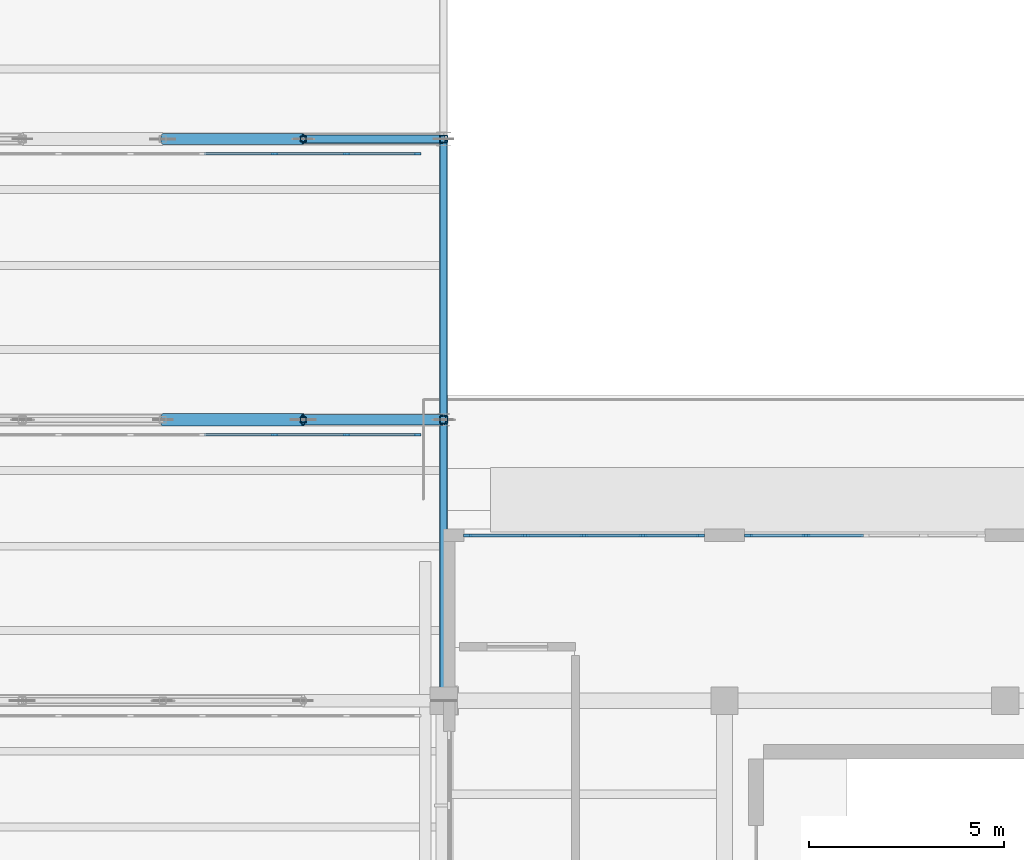
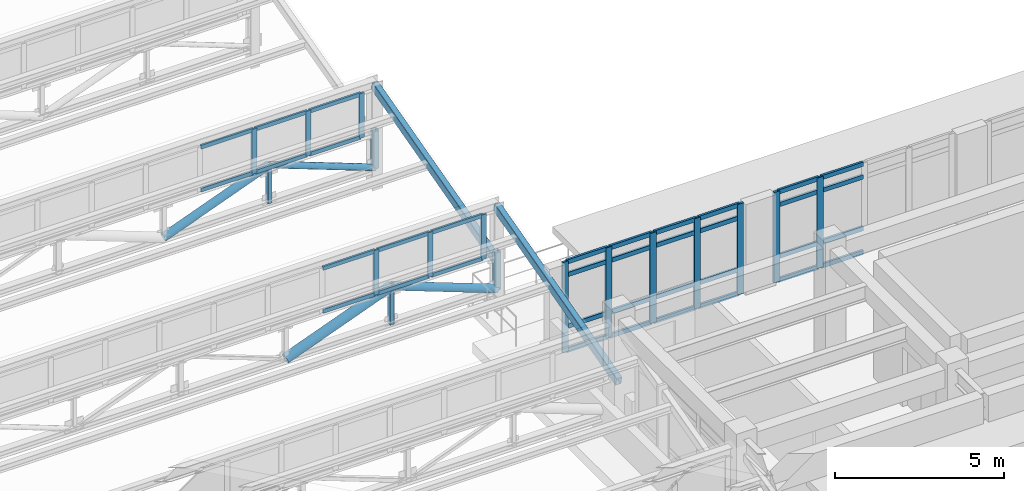
# One storey, part 10 of 55: 57 members, 2 beams, 4 elements without a shape of their own.
"""IFC4 building model written with IfcOpenShell, lengths in metres."""

import ifcopenshell
import ifcopenshell.guid

model = None  # the IFC model being written
_history = None  # IfcOwnerHistory: only IFC2X3 demands one
_inside = {}  # id of a spatial element -> (the spatial element, [elements in it])
_under = {}  # id of a project, library or spatial element -> (it, [spatial elements below it])
_declared = {}  # id of a project -> (the project, [libraries it declares])
_typed = {}  # id of a type object -> (the type object, [elements of that type])
_made_of = {}  # id of a material, layer set ... -> (it, [elements and type objects made of it])


def new_model(schema):
    """Start an empty IFC model of exactly this schema.

    Asked for "IFC4X3", IfcOpenShell would pick the latest addendum, in which some entities
    have other attributes; the version numbers below select the first issue.
    IFC2X3 requires an IfcOwnerHistory on every rooted entity: one is made here for all.
    """
    global model, _history
    if schema == "IFC4X3":
        model = ifcopenshell.file(schema_version=(4, 3, 0, 0))
    else:
        model = ifcopenshell.file(schema=schema)
    _inside.clear()
    _under.clear()
    _declared.clear()
    _typed.clear()
    _made_of.clear()
    _history = None
    if model.schema == "IFC2X3":
        org = make("IfcOrganization", Name="unknown")
        user = make(
            "IfcPersonAndOrganization",
            ThePerson=make("IfcPerson", FamilyName="unknown"),
            TheOrganization=org,
        )
        app = make(
            "IfcApplication",
            ApplicationDeveloper=org,
            Version="unknown",
            ApplicationFullName="unknown",
            ApplicationIdentifier="unknown",
        )
        _history = make(
            "IfcOwnerHistory",
            OwningUser=user,
            OwningApplication=app,
            ChangeAction="ADDED",
            CreationDate=0,
        )
    return model


def make(cls, **values):
    """One entity of the class cls with the attributes given. An attribute that is None is left unset."""
    return model.create_entity(
        cls, **{name: value for name, value in values.items() if value is not None}
    )


def rooted(cls, **values):
    """An entity with a GlobalId (a new one), such as an element, a storey or a relation."""
    return make(cls, GlobalId=ifcopenshell.guid.new(), OwnerHistory=_history, **values)


def si_unit(unit_type, name, prefix=None):
    """IfcSIUnit, for example si_unit("LENGTHUNIT", "METRE", prefix="MILLI")."""
    return make("IfcSIUnit", UnitType=unit_type, Prefix=prefix, Name=name)


def assignment(units):
    """IfcUnitAssignment: the units of a project."""
    return None if units is None else make("IfcUnitAssignment", Units=units)


def point(xyz):
    """IfcCartesianPoint."""
    return None if xyz is None else make("IfcCartesianPoint", Coordinates=xyz)


def direction(xyz):
    """IfcDirection."""
    return None if xyz is None else make("IfcDirection", DirectionRatios=xyz)


def frame(location, z_axis=None, x_axis=None):
    """IfcAxis2Placement3D, a coordinate frame: its origin and axes. An axis left out is left unset."""
    return make(
        "IfcAxis2Placement3D",
        Location=point(location),
        Axis=direction(z_axis),
        RefDirection=direction(x_axis),
    )


def frame_2d(location, x_axis=None):
    """IfcAxis2Placement2D, a coordinate frame in the plane: its origin and x axis."""
    return make(
        "IfcAxis2Placement2D", Location=point(location), RefDirection=direction(x_axis)
    )


def origin():
    """The frame at (0, 0, 0) with its axes left unset."""
    return frame((0.0, 0.0, 0.0))


def origin_2d():
    """The frame at (0, 0) in the plane with its x axis left unset."""
    return frame_2d((0.0, 0.0))


def place(relative_to, where):
    """IfcLocalPlacement: puts the frame where relative to a parent placement (None: the world)."""
    return make(
        "IfcLocalPlacement", PlacementRelTo=relative_to, RelativePlacement=where
    )


def context(
    kind, dimensions, precision=None, world=None, true_north=None, identifier=None
):
    """IfcGeometricRepresentationContext, for example the 3D "Model" context."""
    return make(
        "IfcGeometricRepresentationContext",
        ContextIdentifier=identifier,
        ContextType=kind,
        CoordinateSpaceDimension=dimensions,
        Precision=precision,
        WorldCoordinateSystem=world,
        TrueNorth=true_north,
    )


def subcontext(parent, identifier, kind, view, scale=None):
    """IfcGeometricRepresentationSubContext, for example "Body" below "Model"."""
    return make(
        "IfcGeometricRepresentationSubContext",
        ContextIdentifier=identifier,
        ContextType=kind,
        ParentContext=parent,
        TargetScale=scale,
        TargetView=view,
    )


def project(units=None, contexts=None):
    """IfcProject with its units and contexts."""
    return rooted(
        "IfcProject",
        Name="project",
        RepresentationContexts=contexts,
        UnitsInContext=assignment(units),
    )


def spatial(cls, under=None, at=None, **own):
    """A site, building, storey or space (cls), placed at a placement, below another one or the project."""
    s = rooted(cls, ObjectPlacement=at, **own)
    if under is not None:
        _under.setdefault(under.id(), (under, []))[1].append(s)
    return s


def profile(cls, at=None, kind="AREA", **sizes):
    """A parametric profile (cls). Its sizes go by their IFC names, for example OverallWidth=200.0."""
    return make(cls, ProfileType=kind, Position=at, **sizes)


def rectangle(**sizes):
    """IfcRectangleProfileDef."""
    return profile("IfcRectangleProfileDef", **sizes)


def hollow_rectangle(**sizes):
    """IfcRectangleHollowProfileDef."""
    return profile("IfcRectangleHollowProfileDef", **sizes)


def hollow_circle(**sizes):
    """IfcCircleHollowProfileDef."""
    return profile("IfcCircleHollowProfileDef", **sizes)


def extrude(swept, where, along, depth):
    """IfcExtrudedAreaSolid: the profile swept, set in the frame where, extruded along a direction by depth."""
    return make(
        "IfcExtrudedAreaSolid",
        SweptArea=swept,
        Position=where,
        ExtrudedDirection=direction(along),
        Depth=depth,
    )


def shape(context_of_items, identifier, shape_type, items):
    """IfcShapeRepresentation: the items that make up one representation, for example the "Body"."""
    return make(
        "IfcShapeRepresentation",
        ContextOfItems=context_of_items,
        RepresentationIdentifier=identifier,
        RepresentationType=shape_type,
        Items=items,
    )


def material(Name=None, Category=None):
    """IfcMaterial."""
    return make("IfcMaterial", Name=Name, Category=Category)


def layer(
    of_material, thickness, ventilated=None, Name=None, Category=None, Priority=None
):
    """IfcMaterialLayer: one layer of a wall or slab, of a material (None: an air gap)."""
    return make(
        "IfcMaterialLayer",
        Material=of_material,
        LayerThickness=thickness,
        IsVentilated=ventilated,
        Name=Name,
        Category=Category,
        Priority=Priority,
    )


def layer_set(layers, Name=None):
    """IfcMaterialLayerSet."""
    return make("IfcMaterialLayerSet", MaterialLayers=layers, LayerSetName=Name)


def material_profile(
    of_material, cross_section, Name=None, Category=None, Priority=None
):
    """IfcMaterialProfile: a cross section and its material."""
    return make(
        "IfcMaterialProfile",
        Name=Name,
        Material=of_material,
        Profile=cross_section,
        Priority=Priority,
        Category=Category,
    )


def profile_set(profiles, Name=None, composite=None):
    """IfcMaterialProfileSet."""
    return make(
        "IfcMaterialProfileSet",
        Name=Name,
        MaterialProfiles=profiles,
        CompositeProfile=composite,
    )


def made_of(thing, what):
    """Note that an element or type object is made of a material, layer set ...; save() writes the relation."""
    if what is not None:
        _made_of.setdefault(what.id(), (what, []))[1].append(thing)
    return thing


def type_object(cls, material=None, **own):
    """A type object (cls), such as IfcWallType, which elements share."""
    return made_of(rooted(cls, **own), material)


def element(
    cls,
    number,
    at=None,
    inside=None,
    cuts=None,
    type_object=None,
    material=None,
    context=None,
    identifier="Body",
    shape_type=None,
    held_by="IfcProductDefinitionShape",
    body=None,
    shapes=None,
    **own,
):
    """One element of the class cls, such as IfcWall. Its Tag is "e" and its number.

    at: its placement. inside: the storey or other place that contains it. cuts: it is an
    opening in that element (IfcRelVoidsElement). A single representation is given by context,
    identifier, shape_type and body (its items); several are given by shapes. held_by: the class
    of the entity that holds the representations. save() writes the other relations.
    """
    e = rooted(cls, Tag="e%d" % number, ObjectPlacement=at, **own)
    if body is not None:
        shapes = [shape(context, identifier, shape_type, body)]
    if shapes is not None:
        e.Representation = make(held_by, Representations=shapes)
    if inside is not None:
        _inside.setdefault(inside.id(), (inside, []))[1].append(e)
    if cuts is not None:
        rooted(
            "IfcRelVoidsElement", RelatingBuildingElement=cuts, RelatedOpeningElement=e
        )
    if type_object is not None:
        _typed.setdefault(type_object.id(), (type_object, []))[1].append(e)
    return made_of(e, material)


def aggregate(whole, parts):
    """IfcRelAggregates: a whole, such as a stair, and the parts it consists of."""
    return rooted("IfcRelAggregates", RelatingObject=whole, RelatedObjects=parts)


def save(model, path):
    """Write the relations noted so far, then the file.

    IfcRelAggregates (storeys below a building ...), IfcRelContainedInSpatialStructure (elements
    in a storey), IfcRelDefinesByType, IfcRelAssociatesMaterial and IfcRelDeclares: one each for
    every whole, place, type object, material and project.
    """
    for whole, parts in _under.values():
        aggregate(whole, parts)
    for where, things in _inside.values():
        rooted(
            "IfcRelContainedInSpatialStructure",
            RelatedElements=things,
            RelatingStructure=where,
        )
    for kind, things in _typed.values():
        rooted("IfcRelDefinesByType", RelatedObjects=things, RelatingType=kind)
    for what, things in _made_of.values():
        rooted("IfcRelAssociatesMaterial", RelatedObjects=things, RelatingMaterial=what)
    for by, libraries in _declared.values():
        rooted("IfcRelDeclares", RelatingContext=by, RelatedDefinitions=libraries)
    model.write(path)


model = new_model("IFC4")

# Units and contexts
model_context = context("Model", 3, precision=1e-05, world=origin(), true_north=direction((0.0, 1.0)))
body_context = subcontext(model_context, "Body", "Model", "MODEL_VIEW")
ifc_project = project(units=[si_unit("LENGTHUNIT", "METRE"), si_unit("AREAUNIT", "SQUARE_METRE"), si_unit("VOLUMEUNIT", "CUBIC_METRE"), si_unit("PLANEANGLEUNIT", "RADIAN"), si_unit("MASSUNIT", "GRAM", prefix="KILO")], contexts=[model_context])

# Site, building, storey
site_placement = place(None, origin())
site = spatial("IfcSite", under=ifc_project, at=site_placement, CompositionType="ELEMENT")
building_placement = place(site_placement, origin())
building = spatial("IfcBuilding", under=site, at=building_placement, Name="Solenvale Faculty of Natural Sciences", CompositionType="ELEMENT")
storey_placement = place(building_placement, frame((0.0, 0.0, 22.5)))
storey = spatial("IfcBuildingStorey", under=building, at=storey_placement, Name="L05", CompositionType="ELEMENT", Elevation=22.5)

# Beams
ifc_material_1 = material(Name="Steel S355", Category="steel")
ifc_material_profile_1 = material_profile(ifc_material_1, hollow_rectangle(XDim=0.202880859375, YDim=0.304931640625, WallThickness=0.0126953125, InnerFilletRadius=0.0126953125, OuterFilletRadius=0.025390625, at=origin_2d()), Name="HSS305x203x13")
ifc_profile_set_1 = profile_set([ifc_material_profile_1], Name="Steel S355")
beam_type = type_object("IfcBeamType", Name="BM-RAF-HSS305", PredefinedType="BEAM", material=ifc_profile_set_1)
for number, where, z_axis, x_axis, name in (
    (1, (57.60009765625, 28.800048828125, 1.719970703125), (0.0, 0.965901991803, 0.258907980238), (-1.0, 0.0, 0.0), "V3 Sawtooth End Rafter 3.1.E"),
    (2, (57.60009765625, 36.0, 1.719970703125), (0.0, 0.965901991803, 0.258907980238), (-1.0, 0.0, 0.0), "V3 Sawtooth End Rafter 4.1.E"),
):
    element("IfcBeam", number, at=place(storey_placement, frame(where, z_axis=z_axis, x_axis=x_axis)), inside=storey, type_object=beam_type, Name=name, PredefinedType="BEAM", context=body_context, shape_type="SweptSolid", body=[
        extrude(hollow_rectangle(XDim=0.202880859375, YDim=0.304931640625, WallThickness=0.0126953125, InnerFilletRadius=0.0126953125, OuterFilletRadius=0.025390625, at=origin_2d()), origin(), (0.0, 0.0, 1.0), 7.4541015625),
    ])

# Curtain wall, members
ifc_material_2 = material(Name="Anodised bronze aluminium", Category="aluminium")
ifc_layer_1 = layer(ifc_material_2, 0.1650390625)
ifc_layer_set_1 = layer_set([ifc_layer_1], Name="Anodised bronze aluminium")
curtain_wall_type_1 = type_object("IfcCurtainWallType", Name="CW-SAW-CLR", PredefinedType="USERDEFINED", material=ifc_layer_set_1)
curtain_wall_1_placement = place(storey_placement, origin())
curtain_wall_1 = element("IfcCurtainWall", 3, at=curtain_wall_1_placement, inside=storey, type_object=curtain_wall_type_1, Name="L05 Curtain Wall SAW-V3-CW-3-1", ObjectType="NORTH LIGHT CLERESTORY", PredefinedType="USERDEFINED")
ifc_material_profile_2 = material_profile(ifc_material_2, rectangle(XDim=0.06494140625, YDim=0.175048828125, at=origin_2d()), Name="ALU-MUL-65x175")
ifc_profile_set_2 = profile_set([ifc_material_profile_2], Name="Anodised bronze aluminium")
member_type_1 = type_object("IfcMemberType", Name="CWM-ALU-65x175", PredefinedType="MULLION", material=ifc_profile_set_2)
member_1_placement = place(storey_placement, frame((56.927490234375, 35.6201171875, 2.22998046875), z_axis=(0.0, 0.0, 1.0), x_axis=(0.0, -1.0, 0.0)))
member_1 = element("IfcMember", 4, at=member_1_placement, type_object=member_type_1, Name="CW-05 mullion 1", PredefinedType="MULLION", context=body_context, shape_type="SweptSolid", body=[
    extrude(rectangle(XDim=0.06494140625, YDim=0.175048828125, at=origin_2d()), origin(), (0.0, 0.0, 1.0), 1.610107421875),
])
member_2_placement = place(storey_placement, frame((55.11279296875, 35.6201171875, 2.22998046875), z_axis=(0.0, 0.0, 1.0), x_axis=(0.0, -1.0, 0.0)))
member_2 = element("IfcMember", 5, at=member_2_placement, type_object=member_type_1, Name="CW-05 mullion 2", PredefinedType="MULLION", context=body_context, shape_type="SweptSolid", body=[
    extrude(rectangle(XDim=0.06494140625, YDim=0.175048828125, at=origin_2d()), origin(), (0.0, 0.0, 1.0), 1.610107421875),
])
member_3_placement = place(storey_placement, frame((53.265380859375, 35.6201171875, 2.22998046875), z_axis=(0.0, 0.0, 1.0), x_axis=(0.0, -1.0, 0.0)))
member_3 = element("IfcMember", 6, at=member_3_placement, type_object=member_type_1, Name="CW-05 mullion 3", PredefinedType="MULLION", context=body_context, shape_type="SweptSolid", body=[
    extrude(rectangle(XDim=0.06494140625, YDim=0.175048828125, at=origin_2d()), origin(), (0.0, 0.0, 1.0), 1.610107421875),
])

curtain_wall_2_placement = place(storey_placement, origin())
curtain_wall_2 = element("IfcCurtainWall", 7, at=curtain_wall_2_placement, inside=storey, type_object=curtain_wall_type_1, Name="L05 Curtain Wall SAW-V3-CW-4-1", ObjectType="NORTH LIGHT CLERESTORY", PredefinedType="USERDEFINED")
member_4_placement = place(storey_placement, frame((56.927490234375, 42.820068359375, 2.22998046875), z_axis=(0.0, 0.0, 1.0), x_axis=(0.0, -1.0, 0.0)))
member_4 = element("IfcMember", 8, at=member_4_placement, type_object=member_type_1, Name="CW-05 mullion 1", PredefinedType="MULLION", context=body_context, shape_type="SweptSolid", body=[
    extrude(rectangle(XDim=0.06494140625, YDim=0.175048828125, at=origin_2d()), origin(), (0.0, 0.0, 1.0), 1.610107421875),
])
member_5_placement = place(storey_placement, frame((55.11279296875, 42.820068359375, 2.22998046875), z_axis=(0.0, 0.0, 1.0), x_axis=(0.0, -1.0, 0.0)))
member_5 = element("IfcMember", 9, at=member_5_placement, type_object=member_type_1, Name="CW-05 mullion 2", PredefinedType="MULLION", context=body_context, shape_type="SweptSolid", body=[
    extrude(rectangle(XDim=0.06494140625, YDim=0.175048828125, at=origin_2d()), origin(), (0.0, 0.0, 1.0), 1.610107421875),
])
member_6_placement = place(storey_placement, frame((53.265380859375, 42.820068359375, 2.22998046875), z_axis=(0.0, 0.0, 1.0), x_axis=(0.0, -1.0, 0.0)))
member_6 = element("IfcMember", 10, at=member_6_placement, type_object=member_type_1, Name="CW-05 mullion 3", PredefinedType="MULLION", context=body_context, shape_type="SweptSolid", body=[
    extrude(rectangle(XDim=0.06494140625, YDim=0.175048828125, at=origin_2d()), origin(), (0.0, 0.0, 1.0), 1.610107421875),
])

ifc_layer_2 = layer(ifc_material_2, 0.18994140625)
ifc_layer_set_2 = layer_set([ifc_layer_2], Name="Anodised bronze aluminium")
curtain_wall_type_2 = type_object("IfcCurtainWallType", Name="CW-TRAY-REC", PredefinedType="USERDEFINED", material=ifc_layer_set_2)
curtain_wall_3_placement = place(storey_placement, origin())
curtain_wall_3 = element("IfcCurtainWall", 11, at=curtain_wall_3_placement, inside=storey, type_object=curtain_wall_type_2, Name="L05 Curtain Wall CW-L05-P1-E2-B7", ObjectType="UNITISED CURTAIN WALL", PredefinedType="USERDEFINED")
ifc_material_profile_3 = material_profile(ifc_material_2, rectangle(XDim=0.074951171875, YDim=0.2099609375, at=origin_2d()), Name="ALU-MUL-75x210")
ifc_profile_set_3 = profile_set([ifc_material_profile_3], Name="Anodised bronze aluminium")
member_type_2 = type_object("IfcMemberType", Name="CWM-ALU-75x210", PredefinedType="MULLION", material=ifc_profile_set_3)
member_7_placement = place(storey_placement, frame((66.889892578125, 33.03759765625, 0.0), z_axis=(0.0, 0.0, 1.0), x_axis=(0.0, -1.0, 0.0)))
member_7 = element("IfcMember", 12, at=member_7_placement, type_object=member_type_2, Name="CW-02 mullion 4", PredefinedType="MULLION", context=body_context, shape_type="SweptSolid", body=[
    extrude(rectangle(XDim=0.074951171875, YDim=0.2099609375, at=origin_2d()), origin(), (0.0, 0.0, 1.0), 3.260009765625),
])
member_8_placement = place(storey_placement, frame((65.41748046875, 33.03759765625, 0.0), z_axis=(0.0, 0.0, 1.0), x_axis=(0.0, -1.0, 0.0)))
member_8 = element("IfcMember", 13, at=member_8_placement, type_object=member_type_2, Name="CW-02 mullion 5", PredefinedType="MULLION", context=body_context, shape_type="SweptSolid", body=[
    extrude(rectangle(XDim=0.074951171875, YDim=0.2099609375, at=origin_2d()), origin(), (0.0, 0.0, 1.0), 3.260009765625),
])

curtain_wall_4_placement = place(storey_placement, origin())
curtain_wall_4 = element("IfcCurtainWall", 14, at=curtain_wall_4_placement, inside=storey, type_object=curtain_wall_type_2, Name="L05 Curtain Wall CW-L05-P1-E2-B8", ObjectType="UNITISED CURTAIN WALL", PredefinedType="USERDEFINED")
member_9_placement = place(storey_placement, frame((64.1826171875, 33.03759765625, 0.0), z_axis=(0.0, 0.0, 1.0), x_axis=(0.0, -1.0, 0.0)))
member_9 = element("IfcMember", 15, at=member_9_placement, type_object=member_type_2, Name="CW-02 mullion 1", PredefinedType="MULLION", context=body_context, shape_type="SweptSolid", body=[
    extrude(rectangle(XDim=0.074951171875, YDim=0.2099609375, at=origin_2d()), origin(), (0.0, 0.0, 1.0), 3.260009765625),
])
member_10_placement = place(storey_placement, frame((62.7099609375, 33.03759765625, 0.0), z_axis=(0.0, 0.0, 1.0), x_axis=(0.0, -1.0, 0.0)))
member_10 = element("IfcMember", 16, at=member_10_placement, type_object=member_type_2, Name="CW-02 mullion 2", PredefinedType="MULLION", context=body_context, shape_type="SweptSolid", body=[
    extrude(rectangle(XDim=0.074951171875, YDim=0.2099609375, at=origin_2d()), origin(), (0.0, 0.0, 1.0), 3.260009765625),
])
member_11_placement = place(storey_placement, frame((61.199951171875, 33.03759765625, 0.0), z_axis=(0.0, 0.0, 1.0), x_axis=(0.0, -1.0, 0.0)))
member_11 = element("IfcMember", 17, at=member_11_placement, type_object=member_type_2, Name="CW-02 mullion 3", PredefinedType="MULLION", context=body_context, shape_type="SweptSolid", body=[
    extrude(rectangle(XDim=0.074951171875, YDim=0.2099609375, at=origin_2d()), origin(), (0.0, 0.0, 1.0), 3.260009765625),
])
member_12_placement = place(storey_placement, frame((59.68994140625, 33.03759765625, 0.0), z_axis=(0.0, 0.0, 1.0), x_axis=(0.0, -1.0, 0.0)))
member_12 = element("IfcMember", 18, at=member_12_placement, type_object=member_type_2, Name="CW-02 mullion 4", PredefinedType="MULLION", context=body_context, shape_type="SweptSolid", body=[
    extrude(rectangle(XDim=0.074951171875, YDim=0.2099609375, at=origin_2d()), origin(), (0.0, 0.0, 1.0), 3.260009765625),
])
member_13_placement = place(storey_placement, frame((58.217529296875, 33.03759765625, 0.0), z_axis=(0.0, 0.0, 1.0), x_axis=(0.0, -1.0, 0.0)))
member_13 = element("IfcMember", 19, at=member_13_placement, type_object=member_type_2, Name="CW-02 mullion 5", PredefinedType="MULLION", context=body_context, shape_type="SweptSolid", body=[
    extrude(rectangle(XDim=0.074951171875, YDim=0.2099609375, at=origin_2d()), origin(), (0.0, 0.0, 1.0), 3.260009765625),
])

# Member
ifc_material_profile_4 = material_profile(ifc_material_2, rectangle(XDim=0.06494140625, YDim=0.135009765625, at=origin_2d()), Name="ALU-TRN-65x135")
ifc_profile_set_4 = profile_set([ifc_material_profile_4], Name="Anodised bronze aluminium")
member_type_3 = type_object("IfcMemberType", Name="CWT-ALU-65x135", PredefinedType="USERDEFINED", material=ifc_profile_set_4)
member_14_placement = place(storey_placement, frame((56.89501953125, 35.6201171875, 2.262451171875), z_axis=(-1.0, 0.0, 0.0), x_axis=(0.0, -1.0, 0.0)))
member_14 = element("IfcMember", 20, at=member_14_placement, type_object=member_type_3, Name="CW-05 transom 1.1", ObjectType="TRANSOM", PredefinedType="USERDEFINED", context=body_context, shape_type="SweptSolid", body=[
    extrude(rectangle(XDim=0.06494140625, YDim=0.135009765625, at=origin_2d()), origin(), (0.0, 0.0, 1.0), 1.749755859375),
])

member_15_placement = place(storey_placement, frame((56.89501953125, 35.6201171875, 3.8076171875), z_axis=(-1.0, 0.0, 0.0), x_axis=(0.0, -1.0, 0.0)))
member_15 = element("IfcMember", 21, at=member_15_placement, type_object=member_type_3, Name="CW-05 transom 1.2", ObjectType="TRANSOM", PredefinedType="USERDEFINED", context=body_context, shape_type="SweptSolid", body=[
    extrude(rectangle(XDim=0.06494140625, YDim=0.135009765625, at=origin_2d()), origin(), (0.0, 0.0, 1.0), 1.749755859375),
])

member_16_placement = place(storey_placement, frame((55.080322265625, 35.6201171875, 2.262451171875), z_axis=(-1.0, 0.0, 0.0), x_axis=(0.0, -1.0, 0.0)))
member_16 = element("IfcMember", 22, at=member_16_placement, type_object=member_type_3, Name="CW-05 transom 2.1", ObjectType="TRANSOM", PredefinedType="USERDEFINED", context=body_context, shape_type="SweptSolid", body=[
    extrude(rectangle(XDim=0.06494140625, YDim=0.135009765625, at=origin_2d()), origin(), (0.0, 0.0, 1.0), 1.782470703125),
])

member_17_placement = place(storey_placement, frame((55.080322265625, 35.6201171875, 3.8076171875), z_axis=(-1.0, 0.0, 0.0), x_axis=(0.0, -1.0, 0.0)))
member_17 = element("IfcMember", 23, at=member_17_placement, type_object=member_type_3, Name="CW-05 transom 2.2", ObjectType="TRANSOM", PredefinedType="USERDEFINED", context=body_context, shape_type="SweptSolid", body=[
    extrude(rectangle(XDim=0.06494140625, YDim=0.135009765625, at=origin_2d()), origin(), (0.0, 0.0, 1.0), 1.782470703125),
])

member_18_placement = place(storey_placement, frame((53.23291015625, 35.6201171875, 2.262451171875), z_axis=(-1.0, 0.0, 0.0), x_axis=(0.0, -1.0, 0.0)))
member_18 = element("IfcMember", 24, at=member_18_placement, type_object=member_type_3, Name="CW-05 transom 3.1", ObjectType="TRANSOM", PredefinedType="USERDEFINED", context=body_context, shape_type="SweptSolid", body=[
    extrude(rectangle(XDim=0.06494140625, YDim=0.135009765625, at=origin_2d()), origin(), (0.0, 0.0, 1.0), 1.7822265625),
])

member_19_placement = place(storey_placement, frame((53.23291015625, 35.6201171875, 3.8076171875), z_axis=(-1.0, 0.0, 0.0), x_axis=(0.0, -1.0, 0.0)))
member_19 = element("IfcMember", 25, at=member_19_placement, type_object=member_type_3, Name="CW-05 transom 3.2", ObjectType="TRANSOM", PredefinedType="USERDEFINED", context=body_context, shape_type="SweptSolid", body=[
    extrude(rectangle(XDim=0.06494140625, YDim=0.135009765625, at=origin_2d()), origin(), (0.0, 0.0, 1.0), 1.7822265625),
])

aggregate(curtain_wall_1, [member_1, member_2, member_3, member_14, member_15, member_16, member_17, member_18, member_19])

member_20_placement = place(storey_placement, frame((56.89501953125, 42.820068359375, 2.262451171875), z_axis=(-1.0, 0.0, 0.0), x_axis=(0.0, -1.0, 0.0)))
member_20 = element("IfcMember", 26, at=member_20_placement, type_object=member_type_3, Name="CW-05 transom 1.1", ObjectType="TRANSOM", PredefinedType="USERDEFINED", context=body_context, shape_type="SweptSolid", body=[
    extrude(rectangle(XDim=0.06494140625, YDim=0.135009765625, at=origin_2d()), origin(), (0.0, 0.0, 1.0), 1.749755859375),
])

member_21_placement = place(storey_placement, frame((56.89501953125, 42.820068359375, 3.8076171875), z_axis=(-1.0, 0.0, 0.0), x_axis=(0.0, -1.0, 0.0)))
member_21 = element("IfcMember", 27, at=member_21_placement, type_object=member_type_3, Name="CW-05 transom 1.2", ObjectType="TRANSOM", PredefinedType="USERDEFINED", context=body_context, shape_type="SweptSolid", body=[
    extrude(rectangle(XDim=0.06494140625, YDim=0.135009765625, at=origin_2d()), origin(), (0.0, 0.0, 1.0), 1.749755859375),
])

member_22_placement = place(storey_placement, frame((55.080322265625, 42.820068359375, 2.262451171875), z_axis=(-1.0, 0.0, 0.0), x_axis=(0.0, -1.0, 0.0)))
member_22 = element("IfcMember", 28, at=member_22_placement, type_object=member_type_3, Name="CW-05 transom 2.1", ObjectType="TRANSOM", PredefinedType="USERDEFINED", context=body_context, shape_type="SweptSolid", body=[
    extrude(rectangle(XDim=0.06494140625, YDim=0.135009765625, at=origin_2d()), origin(), (0.0, 0.0, 1.0), 1.782470703125),
])

member_23_placement = place(storey_placement, frame((55.080322265625, 42.820068359375, 3.8076171875), z_axis=(-1.0, 0.0, 0.0), x_axis=(0.0, -1.0, 0.0)))
member_23 = element("IfcMember", 29, at=member_23_placement, type_object=member_type_3, Name="CW-05 transom 2.2", ObjectType="TRANSOM", PredefinedType="USERDEFINED", context=body_context, shape_type="SweptSolid", body=[
    extrude(rectangle(XDim=0.06494140625, YDim=0.135009765625, at=origin_2d()), origin(), (0.0, 0.0, 1.0), 1.782470703125),
])

member_24_placement = place(storey_placement, frame((53.23291015625, 42.820068359375, 2.262451171875), z_axis=(-1.0, 0.0, 0.0), x_axis=(0.0, -1.0, 0.0)))
member_24 = element("IfcMember", 30, at=member_24_placement, type_object=member_type_3, Name="CW-05 transom 3.1", ObjectType="TRANSOM", PredefinedType="USERDEFINED", context=body_context, shape_type="SweptSolid", body=[
    extrude(rectangle(XDim=0.06494140625, YDim=0.135009765625, at=origin_2d()), origin(), (0.0, 0.0, 1.0), 1.7822265625),
])

member_25_placement = place(storey_placement, frame((53.23291015625, 42.820068359375, 3.8076171875), z_axis=(-1.0, 0.0, 0.0), x_axis=(0.0, -1.0, 0.0)))
member_25 = element("IfcMember", 31, at=member_25_placement, type_object=member_type_3, Name="CW-05 transom 3.2", ObjectType="TRANSOM", PredefinedType="USERDEFINED", context=body_context, shape_type="SweptSolid", body=[
    extrude(rectangle(XDim=0.06494140625, YDim=0.135009765625, at=origin_2d()), origin(), (0.0, 0.0, 1.0), 1.7822265625),
])

aggregate(curtain_wall_2, [member_4, member_5, member_6, member_20, member_21, member_22, member_23, member_24, member_25])

ifc_material_profile_5 = material_profile(ifc_material_2, rectangle(XDim=0.074951171875, YDim=0.155029296875, at=origin_2d()), Name="ALU-TRN-75x155")
ifc_profile_set_5 = profile_set([ifc_material_profile_5], Name="Anodised bronze aluminium")
member_type_4 = type_object("IfcMemberType", Name="CWT-ALU-75x155", PredefinedType="USERDEFINED", material=ifc_profile_set_5)
member_26_placement = place(storey_placement, frame((68.362548828125, 33.03759765625, 0.03759765625), z_axis=(-1.0, 0.0, 0.0), x_axis=(0.0, -1.0, 0.0)))
member_26 = element("IfcMember", 32, at=member_26_placement, type_object=member_type_4, Name="CW-02 transom 3.1", ObjectType="TRANSOM", PredefinedType="USERDEFINED", context=body_context, shape_type="SweptSolid", body=[
    extrude(rectangle(XDim=0.074951171875, YDim=0.155029296875, at=origin_2d()), origin(), (0.0, 0.0, 1.0), 1.43505859375),
])

member_27_placement = place(storey_placement, frame((68.362548828125, 33.03759765625, 0.89990234375), z_axis=(-1.0, 0.0, 0.0), x_axis=(0.0, -1.0, 0.0)))
member_27 = element("IfcMember", 33, at=member_27_placement, type_object=member_type_4, Name="CW-02 transom 3.2", ObjectType="TRANSOM", PredefinedType="USERDEFINED", context=body_context, shape_type="SweptSolid", body=[
    extrude(rectangle(XDim=0.074951171875, YDim=0.155029296875, at=origin_2d()), origin(), (0.0, 0.0, 1.0), 1.43505859375),
])

member_28_placement = place(storey_placement, frame((68.362548828125, 33.03759765625, 2.760009765625), z_axis=(-1.0, 0.0, 0.0), x_axis=(0.0, -1.0, 0.0)))
member_28 = element("IfcMember", 34, at=member_28_placement, type_object=member_type_4, Name="CW-02 transom 3.3", ObjectType="TRANSOM", PredefinedType="USERDEFINED", context=body_context, shape_type="SweptSolid", body=[
    extrude(rectangle(XDim=0.074951171875, YDim=0.155029296875, at=origin_2d()), origin(), (0.0, 0.0, 1.0), 1.43505859375),
])

member_29_placement = place(storey_placement, frame((68.362548828125, 33.03759765625, 3.222412109375), z_axis=(-1.0, 0.0, 0.0), x_axis=(0.0, -1.0, 0.0)))
member_29 = element("IfcMember", 35, at=member_29_placement, type_object=member_type_4, Name="CW-02 transom 3.4", ObjectType="TRANSOM", PredefinedType="USERDEFINED", context=body_context, shape_type="SweptSolid", body=[
    extrude(rectangle(XDim=0.074951171875, YDim=0.155029296875, at=origin_2d()), origin(), (0.0, 0.0, 1.0), 1.43505859375),
])

member_30_placement = place(storey_placement, frame((66.8525390625, 33.03759765625, 0.03759765625), z_axis=(-1.0, 0.0, 0.0), x_axis=(0.0, -1.0, 0.0)))
member_30 = element("IfcMember", 36, at=member_30_placement, type_object=member_type_4, Name="CW-02 transom 4.1", ObjectType="TRANSOM", PredefinedType="USERDEFINED", context=body_context, shape_type="SweptSolid", body=[
    extrude(rectangle(XDim=0.074951171875, YDim=0.155029296875, at=origin_2d()), origin(), (0.0, 0.0, 1.0), 1.3974609375),
])

member_31_placement = place(storey_placement, frame((66.8525390625, 33.03759765625, 0.89990234375), z_axis=(-1.0, 0.0, 0.0), x_axis=(0.0, -1.0, 0.0)))
member_31 = element("IfcMember", 37, at=member_31_placement, type_object=member_type_4, Name="CW-02 transom 4.2", ObjectType="TRANSOM", PredefinedType="USERDEFINED", context=body_context, shape_type="SweptSolid", body=[
    extrude(rectangle(XDim=0.074951171875, YDim=0.155029296875, at=origin_2d()), origin(), (0.0, 0.0, 1.0), 1.3974609375),
])

member_32_placement = place(storey_placement, frame((66.8525390625, 33.03759765625, 2.760009765625), z_axis=(-1.0, 0.0, 0.0), x_axis=(0.0, -1.0, 0.0)))
member_32 = element("IfcMember", 38, at=member_32_placement, type_object=member_type_4, Name="CW-02 transom 4.3", ObjectType="TRANSOM", PredefinedType="USERDEFINED", context=body_context, shape_type="SweptSolid", body=[
    extrude(rectangle(XDim=0.074951171875, YDim=0.155029296875, at=origin_2d()), origin(), (0.0, 0.0, 1.0), 1.3974609375),
])

member_33_placement = place(storey_placement, frame((66.8525390625, 33.03759765625, 3.222412109375), z_axis=(-1.0, 0.0, 0.0), x_axis=(0.0, -1.0, 0.0)))
member_33 = element("IfcMember", 39, at=member_33_placement, type_object=member_type_4, Name="CW-02 transom 4.4", ObjectType="TRANSOM", PredefinedType="USERDEFINED", context=body_context, shape_type="SweptSolid", body=[
    extrude(rectangle(XDim=0.074951171875, YDim=0.155029296875, at=origin_2d()), origin(), (0.0, 0.0, 1.0), 1.3974609375),
])

aggregate(curtain_wall_3, [member_7, member_8, member_26, member_27, member_28, member_29, member_30, member_31, member_32, member_33])

member_34_placement = place(storey_placement, frame((64.14501953125, 33.03759765625, 0.03759765625), z_axis=(-1.0, 0.0, 0.0), x_axis=(0.0, -1.0, 0.0)))
member_34 = element("IfcMember", 40, at=member_34_placement, type_object=member_type_4, Name="CW-02 transom 1.1", ObjectType="TRANSOM", PredefinedType="USERDEFINED", context=body_context, shape_type="SweptSolid", body=[
    extrude(rectangle(XDim=0.074951171875, YDim=0.155029296875, at=origin_2d()), origin(), (0.0, 0.0, 1.0), 1.3974609375),
])

member_35_placement = place(storey_placement, frame((64.14501953125, 33.03759765625, 0.89990234375), z_axis=(-1.0, 0.0, 0.0), x_axis=(0.0, -1.0, 0.0)))
member_35 = element("IfcMember", 41, at=member_35_placement, type_object=member_type_4, Name="CW-02 transom 1.2", ObjectType="TRANSOM", PredefinedType="USERDEFINED", context=body_context, shape_type="SweptSolid", body=[
    extrude(rectangle(XDim=0.074951171875, YDim=0.155029296875, at=origin_2d()), origin(), (0.0, 0.0, 1.0), 1.3974609375),
])

member_36_placement = place(storey_placement, frame((64.14501953125, 33.03759765625, 2.760009765625), z_axis=(-1.0, 0.0, 0.0), x_axis=(0.0, -1.0, 0.0)))
member_36 = element("IfcMember", 42, at=member_36_placement, type_object=member_type_4, Name="CW-02 transom 1.3", ObjectType="TRANSOM", PredefinedType="USERDEFINED", context=body_context, shape_type="SweptSolid", body=[
    extrude(rectangle(XDim=0.074951171875, YDim=0.155029296875, at=origin_2d()), origin(), (0.0, 0.0, 1.0), 1.3974609375),
])

member_37_placement = place(storey_placement, frame((64.14501953125, 33.03759765625, 3.222412109375), z_axis=(-1.0, 0.0, 0.0), x_axis=(0.0, -1.0, 0.0)))
member_37 = element("IfcMember", 43, at=member_37_placement, type_object=member_type_4, Name="CW-02 transom 1.4", ObjectType="TRANSOM", PredefinedType="USERDEFINED", context=body_context, shape_type="SweptSolid", body=[
    extrude(rectangle(XDim=0.074951171875, YDim=0.155029296875, at=origin_2d()), origin(), (0.0, 0.0, 1.0), 1.3974609375),
])

member_38_placement = place(storey_placement, frame((62.672607421875, 33.03759765625, 0.03759765625), z_axis=(-1.0, 0.0, 0.0), x_axis=(0.0, -1.0, 0.0)))
member_38 = element("IfcMember", 44, at=member_38_placement, type_object=member_type_4, Name="CW-02 transom 2.1", ObjectType="TRANSOM", PredefinedType="USERDEFINED", context=body_context, shape_type="SweptSolid", body=[
    extrude(rectangle(XDim=0.074951171875, YDim=0.155029296875, at=origin_2d()), origin(), (0.0, 0.0, 1.0), 1.43505859375),
])

member_39_placement = place(storey_placement, frame((62.672607421875, 33.03759765625, 0.89990234375), z_axis=(-1.0, 0.0, 0.0), x_axis=(0.0, -1.0, 0.0)))
member_39 = element("IfcMember", 45, at=member_39_placement, type_object=member_type_4, Name="CW-02 transom 2.2", ObjectType="TRANSOM", PredefinedType="USERDEFINED", context=body_context, shape_type="SweptSolid", body=[
    extrude(rectangle(XDim=0.074951171875, YDim=0.155029296875, at=origin_2d()), origin(), (0.0, 0.0, 1.0), 1.43505859375),
])

member_40_placement = place(storey_placement, frame((62.672607421875, 33.03759765625, 2.760009765625), z_axis=(-1.0, 0.0, 0.0), x_axis=(0.0, -1.0, 0.0)))
member_40 = element("IfcMember", 46, at=member_40_placement, type_object=member_type_4, Name="CW-02 transom 2.3", ObjectType="TRANSOM", PredefinedType="USERDEFINED", context=body_context, shape_type="SweptSolid", body=[
    extrude(rectangle(XDim=0.074951171875, YDim=0.155029296875, at=origin_2d()), origin(), (0.0, 0.0, 1.0), 1.43505859375),
])

member_41_placement = place(storey_placement, frame((62.672607421875, 33.03759765625, 3.222412109375), z_axis=(-1.0, 0.0, 0.0), x_axis=(0.0, -1.0, 0.0)))
member_41 = element("IfcMember", 47, at=member_41_placement, type_object=member_type_4, Name="CW-02 transom 2.4", ObjectType="TRANSOM", PredefinedType="USERDEFINED", context=body_context, shape_type="SweptSolid", body=[
    extrude(rectangle(XDim=0.074951171875, YDim=0.155029296875, at=origin_2d()), origin(), (0.0, 0.0, 1.0), 1.43505859375),
])

member_42_placement = place(storey_placement, frame((61.16259765625, 33.03759765625, 0.03759765625), z_axis=(-1.0, 0.0, 0.0), x_axis=(0.0, -1.0, 0.0)))
member_42 = element("IfcMember", 48, at=member_42_placement, type_object=member_type_4, Name="CW-02 transom 3.1", ObjectType="TRANSOM", PredefinedType="USERDEFINED", context=body_context, shape_type="SweptSolid", body=[
    extrude(rectangle(XDim=0.074951171875, YDim=0.155029296875, at=origin_2d()), origin(), (0.0, 0.0, 1.0), 1.43505859375),
])

member_43_placement = place(storey_placement, frame((61.16259765625, 33.03759765625, 0.89990234375), z_axis=(-1.0, 0.0, 0.0), x_axis=(0.0, -1.0, 0.0)))
member_43 = element("IfcMember", 49, at=member_43_placement, type_object=member_type_4, Name="CW-02 transom 3.2", ObjectType="TRANSOM", PredefinedType="USERDEFINED", context=body_context, shape_type="SweptSolid", body=[
    extrude(rectangle(XDim=0.074951171875, YDim=0.155029296875, at=origin_2d()), origin(), (0.0, 0.0, 1.0), 1.43505859375),
])

member_44_placement = place(storey_placement, frame((61.16259765625, 33.03759765625, 2.760009765625), z_axis=(-1.0, 0.0, 0.0), x_axis=(0.0, -1.0, 0.0)))
member_44 = element("IfcMember", 50, at=member_44_placement, type_object=member_type_4, Name="CW-02 transom 3.3", ObjectType="TRANSOM", PredefinedType="USERDEFINED", context=body_context, shape_type="SweptSolid", body=[
    extrude(rectangle(XDim=0.074951171875, YDim=0.155029296875, at=origin_2d()), origin(), (0.0, 0.0, 1.0), 1.43505859375),
])

member_45_placement = place(storey_placement, frame((61.16259765625, 33.03759765625, 3.222412109375), z_axis=(-1.0, 0.0, 0.0), x_axis=(0.0, -1.0, 0.0)))
member_45 = element("IfcMember", 51, at=member_45_placement, type_object=member_type_4, Name="CW-02 transom 3.4", ObjectType="TRANSOM", PredefinedType="USERDEFINED", context=body_context, shape_type="SweptSolid", body=[
    extrude(rectangle(XDim=0.074951171875, YDim=0.155029296875, at=origin_2d()), origin(), (0.0, 0.0, 1.0), 1.43505859375),
])

member_46_placement = place(storey_placement, frame((59.652587890625, 33.03759765625, 0.03759765625), z_axis=(-1.0, 0.0, 0.0), x_axis=(0.0, -1.0, 0.0)))
member_46 = element("IfcMember", 52, at=member_46_placement, type_object=member_type_4, Name="CW-02 transom 4.1", ObjectType="TRANSOM", PredefinedType="USERDEFINED", context=body_context, shape_type="SweptSolid", body=[
    extrude(rectangle(XDim=0.074951171875, YDim=0.155029296875, at=origin_2d()), origin(), (0.0, 0.0, 1.0), 1.397705078125),
])

member_47_placement = place(storey_placement, frame((59.652587890625, 33.03759765625, 0.89990234375), z_axis=(-1.0, 0.0, 0.0), x_axis=(0.0, -1.0, 0.0)))
member_47 = element("IfcMember", 53, at=member_47_placement, type_object=member_type_4, Name="CW-02 transom 4.2", ObjectType="TRANSOM", PredefinedType="USERDEFINED", context=body_context, shape_type="SweptSolid", body=[
    extrude(rectangle(XDim=0.074951171875, YDim=0.155029296875, at=origin_2d()), origin(), (0.0, 0.0, 1.0), 1.397705078125),
])

member_48_placement = place(storey_placement, frame((59.652587890625, 33.03759765625, 2.760009765625), z_axis=(-1.0, 0.0, 0.0), x_axis=(0.0, -1.0, 0.0)))
member_48 = element("IfcMember", 54, at=member_48_placement, type_object=member_type_4, Name="CW-02 transom 4.3", ObjectType="TRANSOM", PredefinedType="USERDEFINED", context=body_context, shape_type="SweptSolid", body=[
    extrude(rectangle(XDim=0.074951171875, YDim=0.155029296875, at=origin_2d()), origin(), (0.0, 0.0, 1.0), 1.397705078125),
])

member_49_placement = place(storey_placement, frame((59.652587890625, 33.03759765625, 3.222412109375), z_axis=(-1.0, 0.0, 0.0), x_axis=(0.0, -1.0, 0.0)))
member_49 = element("IfcMember", 55, at=member_49_placement, type_object=member_type_4, Name="CW-02 transom 4.4", ObjectType="TRANSOM", PredefinedType="USERDEFINED", context=body_context, shape_type="SweptSolid", body=[
    extrude(rectangle(XDim=0.074951171875, YDim=0.155029296875, at=origin_2d()), origin(), (0.0, 0.0, 1.0), 1.397705078125),
])

aggregate(curtain_wall_4, [member_9, member_10, member_11, member_12, member_13, member_34, member_35, member_36, member_37, member_38, member_39, member_40, member_41, member_42, member_43, member_44, member_45, member_46, member_47, member_48, member_49])

# Members
ifc_material_profile_6 = material_profile(ifc_material_1, hollow_circle(Radius=0.109619140625, WallThickness=0.009521484375, at=origin_2d()), Name="HSS219x9.5")
ifc_profile_set_6 = profile_set([ifc_material_profile_6], Name="Steel S355")
member_type_5 = type_object("IfcMemberType", Name="MB-BRC-CHS219", PredefinedType="BRACE", material=ifc_profile_set_6)
member_50_placement = place(storey_placement, frame((54.0, 43.199951171875, 2.050048828125), z_axis=(0.935466034784, 0.0, -0.353416606522), x_axis=(0.0, 1.0, 0.0)))
element("IfcMember", 56, at=member_50_placement, inside=storey, type_object=member_type_5, Name="V3 Truss 4.1 Diagonal 6", PredefinedType="BRACE", context=body_context, shape_type="SweptSolid", body=[
    extrude(hollow_circle(Radius=0.109619140625, WallThickness=0.009521484375, at=origin_2d()), origin(), (0.0, 0.0, 1.0), 3.848388671875),
])
ifc_material_profile_7 = material_profile(ifc_material_1, hollow_circle(Radius=0.136474609375, WallThickness=0.010986328125, at=origin_2d()), Name="HSS273x11")
ifc_profile_set_7 = profile_set([ifc_material_profile_7], Name="Steel S355")
member_type_6 = type_object("IfcMemberType", Name="MB-BRC-CHS273", PredefinedType="BRACE", material=ifc_profile_set_7)
for number, where, z_axis, x_axis, name in (
    (57, (54.0, 36.0, 2.050048828125), (0.935466034784, 0.0, -0.353416606522), (0.0, 1.0, 0.0), "V3 Truss 3.1 Diagonal 6"),
    (58, (50.39990234375, 43.199951171875, 0.68994140625), (0.935466034784, 0.0, 0.353416606522), (0.0, 1.0, 0.0), "V3 Truss 4.1 Diagonal 5"),
):
    element("IfcMember", number, at=place(storey_placement, frame(where, z_axis=z_axis, x_axis=x_axis)), inside=storey, type_object=member_type_6, Name=name, PredefinedType="BRACE", context=body_context, shape_type="SweptSolid", body=[
        extrude(hollow_circle(Radius=0.136474609375, WallThickness=0.010986328125, at=origin_2d()), origin(), (0.0, 0.0, 1.0), 3.848388671875),
    ])
ifc_material_profile_8 = material_profile(ifc_material_1, hollow_circle(Radius=0.161865234375, WallThickness=0.0126953125, at=origin_2d()), Name="HSS324x13")
ifc_profile_set_8 = profile_set([ifc_material_profile_8], Name="Steel S355")
member_type_7 = type_object("IfcMemberType", Name="MB-BRC-CHS324", PredefinedType="BRACE", material=ifc_profile_set_8)
member_51_placement = place(storey_placement, frame((50.39990234375, 36.0, 0.68994140625), z_axis=(0.935466034784, 0.0, 0.353416606522), x_axis=(0.0, 1.0, 0.0)))
element("IfcMember", 59, at=member_51_placement, inside=storey, type_object=member_type_7, Name="V3 Truss 3.1 Diagonal 5", PredefinedType="BRACE", context=body_context, shape_type="SweptSolid", body=[
    extrude(hollow_circle(Radius=0.161865234375, WallThickness=0.0126953125, at=origin_2d()), origin(), (0.0, 0.0, 1.0), 3.848388671875),
])
ifc_material_profile_9 = material_profile(ifc_material_1, hollow_rectangle(XDim=0.152099609375, YDim=0.152099609375, WallThickness=0.009521484375, InnerFilletRadius=0.009521484375, OuterFilletRadius=0.01904296875, at=origin_2d()), Name="HSS152x152x9.5")
ifc_profile_set_9 = profile_set([ifc_material_profile_9], Name="Steel S355")
member_type_8 = type_object("IfcMemberType", Name="MB-STR-HSS152", PredefinedType="STRUT", material=ifc_profile_set_9)
for number, where, z_axis, x_axis, name in (
    (60, (54.0, 36.0, 0.68994140625), (0.0, 0.0, 1.0), (1.0, 0.0, 0.0), "V3 Truss 3.1 Strut 5"),
    (61, (54.0, 43.199951171875, 0.68994140625), (0.0, 0.0, 1.0), (1.0, 0.0, 0.0), "V3 Truss 4.1 Strut 5"),
):
    element("IfcMember", number, at=place(storey_placement, frame(where, z_axis=z_axis, x_axis=x_axis)), inside=storey, type_object=member_type_8, Name=name, PredefinedType="STRUT", context=body_context, shape_type="SweptSolid", body=[
        extrude(hollow_rectangle(XDim=0.152099609375, YDim=0.152099609375, WallThickness=0.009521484375, InnerFilletRadius=0.009521484375, OuterFilletRadius=0.01904296875, at=origin_2d()), origin(), (0.0, 0.0, 1.0), 1.360107421875),
    ])
ifc_material_profile_10 = material_profile(ifc_material_1, hollow_rectangle(XDim=0.202880859375, YDim=0.202880859375, WallThickness=0.0126953125, InnerFilletRadius=0.0126953125, OuterFilletRadius=0.025390625, at=origin_2d()), Name="HSS203x203x13")
ifc_profile_set_10 = profile_set([ifc_material_profile_10], Name="Steel S355")
member_type_9 = type_object("IfcMemberType", Name="MB-STR-HSS203", PredefinedType="STRUT", material=ifc_profile_set_10)
for number, where, z_axis, x_axis, name in (
    (62, (57.60009765625, 36.0, 0.68994140625), (0.0, 0.0, 1.0), (1.0, 0.0, 0.0), "V3 Truss 3.1 Strut 6"),
    (63, (57.60009765625, 43.199951171875, 0.68994140625), (0.0, 0.0, 1.0), (1.0, 0.0, 0.0), "V3 Truss 4.1 Strut 6"),
):
    element("IfcMember", number, at=place(storey_placement, frame(where, z_axis=z_axis, x_axis=x_axis)), inside=storey, type_object=member_type_9, Name=name, PredefinedType="STRUT", context=body_context, shape_type="SweptSolid", body=[
        extrude(hollow_rectangle(XDim=0.202880859375, YDim=0.202880859375, WallThickness=0.0126953125, InnerFilletRadius=0.0126953125, OuterFilletRadius=0.025390625, at=origin_2d()), origin(), (0.0, 0.0, 1.0), 1.360107421875),
    ])

save(model, "model.ifc")
